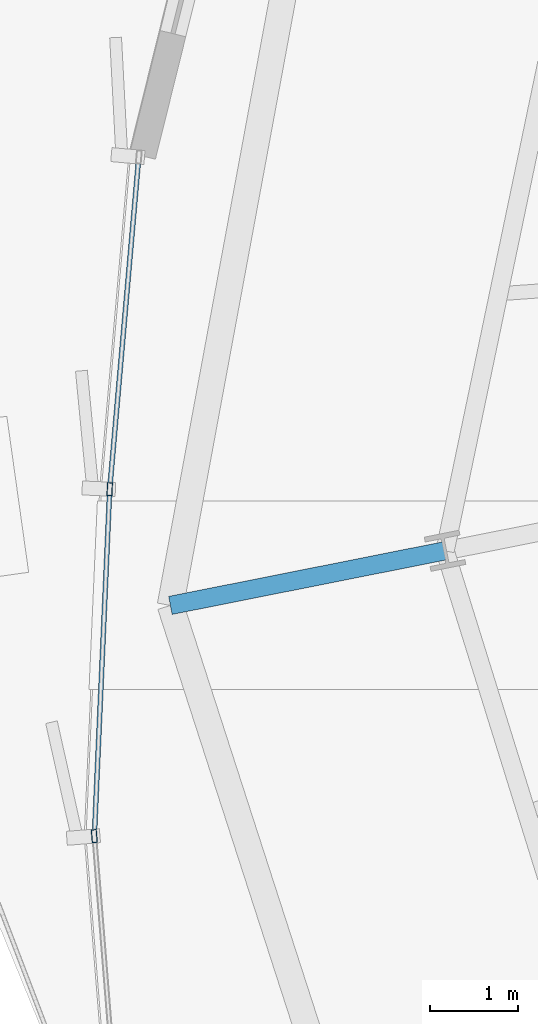
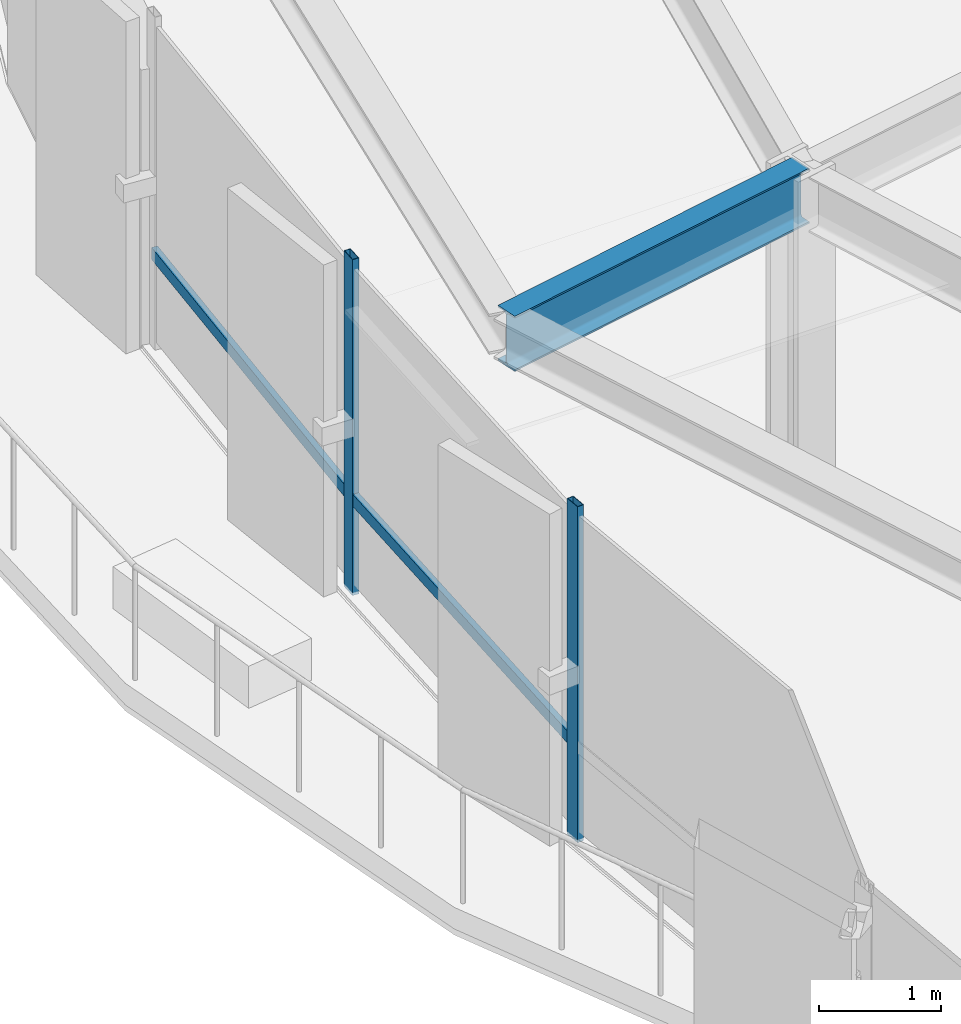
# One storey, part 7 of 35: 4 members, 1 beam, 1 element without a shape of its own.
"""IFC4 building model written with IfcOpenShell, lengths in metres."""

from ifc_helpers import new_model, si_unit, direction, frame, origin, origin_2d, place, context, subcontext, project, spatial, hollow_rectangle, i_section, extrude, source, transform, mapped, material, layer, layer_set, material_profile, profile_set, type_object, element, aggregate, save


model = new_model("IFC4")

# Units and contexts
model_context = context("Model", 3, precision=1e-05, world=origin(), true_north=direction((0.0, 1.0)))
body_context = subcontext(model_context, "Body", "Model", "MODEL_VIEW")
ifc_project = project(units=[si_unit("LENGTHUNIT", "METRE"), si_unit("AREAUNIT", "SQUARE_METRE"), si_unit("VOLUMEUNIT", "CUBIC_METRE"), si_unit("PLANEANGLEUNIT", "RADIAN"), si_unit("MASSUNIT", "GRAM", prefix="KILO"), si_unit("THERMODYNAMICTEMPERATUREUNIT", "KELVIN")], contexts=[model_context])

# Site, building, storey
site_placement = place(None, origin())
site = spatial("IfcSite", under=ifc_project, at=site_placement, CompositionType="ELEMENT")
building_placement = place(site_placement, origin())
building = spatial("IfcBuilding", under=site, at=building_placement, Name="Kethvar Cultural Tower", CompositionType="ELEMENT")
storey_placement = place(building_placement, frame((0.0, 0.0, 100.0)))
storey = spatial("IfcBuildingStorey", under=building, at=storey_placement, Name="L24", CompositionType="ELEMENT", Elevation=100.0)

# Beam
ifc_material_1 = material(Name="Steel S355J2", Category="steel")
ifc_material_profile_1 = material_profile(ifc_material_1, i_section(OverallWidth=0.2099609375, OverallDepth=0.550048828125, WebThickness=0.010986328125, FlangeThickness=0.01708984375, FilletRadius=0.02392578125, at=origin_2d()), Name="Steel S355J2 — IPE550")
ifc_profile_set_1 = profile_set([ifc_material_profile_1], Name="Steel S355J2 — IPE550")
beam_type = type_object("IfcBeamType", Name="BM-IPE550", PredefinedType="BEAM", material=ifc_profile_set_1)
shared_shape_1 = source(origin(), body_context, "Body", "SweptSolid", [
    extrude(i_section(OverallWidth=0.2099609375, OverallDepth=0.550048828125, WebThickness=0.010986328125, FlangeThickness=0.01708984375, FilletRadius=0.02392578125, at=origin_2d()), origin(), (0.0, 0.0, 1.0), 3.199951171875),
])
beam_placement = place(storey_placement, frame((24.185302734375, 23.3017578125, 3.072998046875), z_axis=(-0.980785550224, -0.195088965533, 0.0), x_axis=(0.195088965533, -0.980785550224, 0.0)))
element("IfcBeam", 1, at=beam_placement, inside=storey, type_object=beam_type, Name="L24 Perimeter Cantilever Beam RC-09", PredefinedType="BEAM", context=body_context, shape_type="MappedRepresentation", body=[
    mapped(shared_shape_1, transform((0.0, 0.0, 0.0), scale=1.0)),
])

# Curtain wall, members
ifc_material_2 = material(Name="Aluminium 6063-T6", Category="aluminium")
ifc_layer = layer(ifc_material_2, 0.179931640625, Name="Aluminium 6063-T6", Category="aluminium")
ifc_layer_set = layer_set([ifc_layer], Name="Aluminium 6063-T6 (180 mm)")
curtain_wall_type = type_object("IfcCurtainWallType", Name="CW-SYS-03-Z2", PredefinedType="NOTDEFINED", material=ifc_layer_set)
curtain_wall_placement = place(storey_placement, origin())
curtain_wall = element("IfcCurtainWall", 2, at=curtain_wall_placement, inside=storey, type_object=curtain_wall_type, Name="L24 Curtain Wall Run 04", PredefinedType="NOTDEFINED")
ifc_material_profile_2 = material_profile(ifc_material_2, hollow_rectangle(XDim=0.06005859375, YDim=0.14990234375, WallThickness=0.0048828125, at=origin_2d()), Name="Aluminium 6063-T6 — RHS150x60x5")
ifc_profile_set_2 = profile_set([ifc_material_profile_2], Name="Aluminium 6063-T6 — RHS150x60x5")
member_type_1 = type_object("IfcMemberType", Name="CW-SYS-03-Z2-MUL", PredefinedType="MULLION", material=ifc_profile_set_2)
shared_shape_2 = source(origin(), body_context, "Body", "SweptSolid", [
    extrude(hollow_rectangle(XDim=0.06005859375, YDim=0.14990234375, WallThickness=0.0048828125, at=origin_2d()), origin(), (0.0, 0.0, 1.0), 3.35009765625),
])
member_1_placement = place(storey_placement, frame((20.353515625, 24.006103515625, 0.0), z_axis=(0.0, 0.0, 1.0), x_axis=(0.999022161417, -0.0442122268, 0.0)))
member_1 = element("IfcMember", 3, at=member_1_placement, type_object=member_type_1, Name="CW-L24-R04 Mullion 2", PredefinedType="MULLION", context=body_context, shape_type="MappedRepresentation", body=[
    mapped(shared_shape_2, transform((0.0, 0.0, 0.0), scale=1.0)),
])
member_2_placement = place(storey_placement, frame((20.17724609375, 20.04150390625, 0.0), z_axis=(0.0, 0.0, 1.0), x_axis=(0.996750823024, 0.080546860903, 0.0)))
member_2 = element("IfcMember", 4, at=member_2_placement, type_object=member_type_1, Name="CW-L24-R04 Mullion 3", PredefinedType="MULLION", context=body_context, shape_type="MappedRepresentation", body=[
    mapped(shared_shape_2, transform((0.0, 0.0, 0.0), scale=1.0)),
])
ifc_material_profile_3 = material_profile(ifc_material_2, hollow_rectangle(XDim=0.054931640625, YDim=0.1201171875, WallThickness=0.00390625, at=origin_2d()), Name="Aluminium 6063-T6 — RHS120x55x4")
ifc_profile_set_3 = profile_set([ifc_material_profile_3], Name="Aluminium 6063-T6 — RHS120x55x4")
member_type_2 = type_object("IfcMemberType", Name="CW-SYS-03-Z2-TRN", PredefinedType="USERDEFINED", material=ifc_profile_set_3)
shared_shape_3 = source(origin(), body_context, "Body", "SweptSolid", [
    extrude(hollow_rectangle(XDim=0.054931640625, YDim=0.1201171875, WallThickness=0.00390625, at=origin_2d()), origin(), (0.0, 0.0, 1.0), 3.767822265625),
])
member_3_placement = place(storey_placement, frame((20.685302734375, 27.797607421875, 0.949951171875), z_axis=(-0.087152481636, -0.996194983397, 0.0), x_axis=(0.996194983397, -0.087152481636, 0.0)))
member_3 = element("IfcMember", 5, at=member_3_placement, type_object=member_type_2, Name="CW-L24-R04 Transom 1", ObjectType="TRANSOM", PredefinedType="USERDEFINED", context=body_context, shape_type="MappedRepresentation", body=[
    mapped(shared_shape_3, transform((0.0, 0.0, 0.0), scale=1.0)),
])
shared_shape_4 = source(origin(), body_context, "Body", "SweptSolid", [
    extrude(hollow_rectangle(XDim=0.054931640625, YDim=0.1201171875, WallThickness=0.00390625, at=origin_2d()), origin(), (0.0, 0.0, 1.0), 3.896728515625),
])
member_4_placement = place(storey_placement, frame((20.351806640625, 23.963134765625, 0.949951171875), z_axis=(-0.044233864518, -0.999021203594, 0.0), x_axis=(0.999021203594, -0.044233864518, 0.0)))
member_4 = element("IfcMember", 6, at=member_4_placement, type_object=member_type_2, Name="CW-L24-R04 Transom 2", ObjectType="TRANSOM", PredefinedType="USERDEFINED", context=body_context, shape_type="MappedRepresentation", body=[
    mapped(shared_shape_4, transform((0.0, 0.0, 0.0), scale=1.0)),
])
aggregate(curtain_wall, [member_1, member_2, member_3, member_4])

save(model, "model.ifc")
